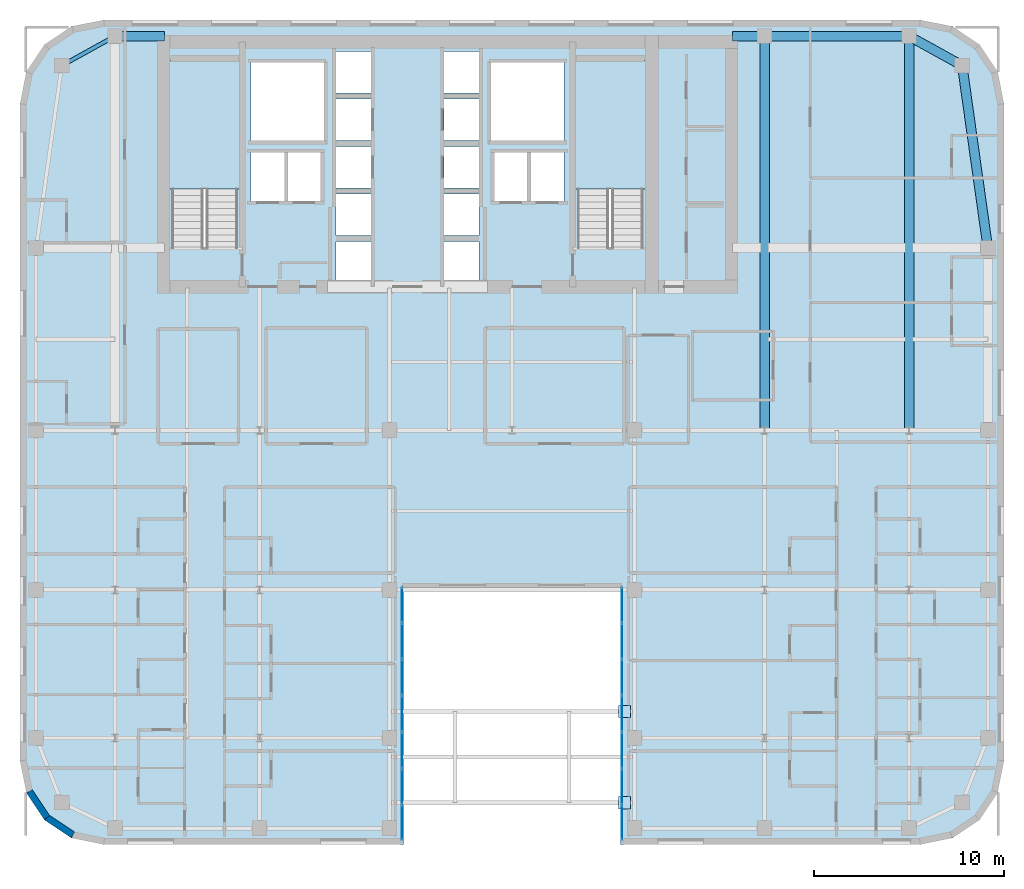
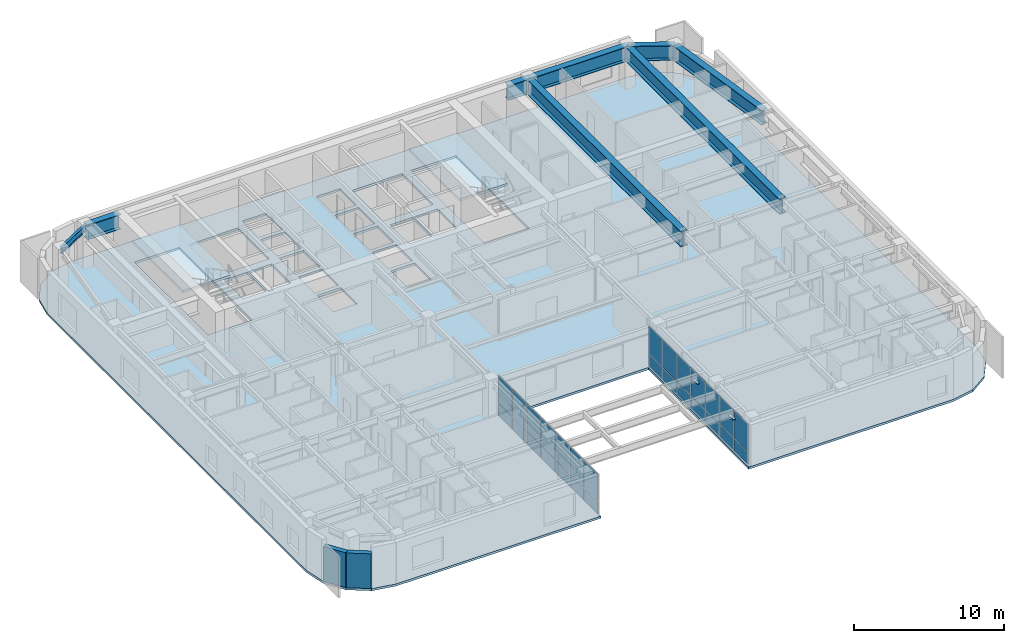
# One storey, part 6 of 15: 30 plates, 8 beams, 3 slabs, 2 walls, 4 elements without a shape of their own.
"""IFC4 building model written with IfcOpenShell, lengths in metres."""

from ifc_helpers import new_model, si_unit, direction, frame, frame_2d, origin, origin_2d, place, context, subcontext, project, spatial, polyline, rectangle, i_section, outline, extrude, source, transform, mapped, material, layer, layer_set, material_profile, profile_set, type_object, type_shapes, element, aggregate, save


model = new_model("IFC4")

# Units and contexts
model_context = context("Model", 3, precision=1e-05, world=origin(), true_north=direction((0.0, 1.0)))
body_context = subcontext(model_context, "Body", "Model", "MODEL_VIEW")
ifc_project = project(units=[si_unit("LENGTHUNIT", "METRE"), si_unit("AREAUNIT", "SQUARE_METRE"), si_unit("VOLUMEUNIT", "CUBIC_METRE"), si_unit("PLANEANGLEUNIT", "RADIAN"), si_unit("MASSUNIT", "GRAM", prefix="KILO")], contexts=[model_context])

# Site, building, storey
site_placement = place(None, origin())
site = spatial("IfcSite", under=ifc_project, at=site_placement, CompositionType="ELEMENT")
building_placement = place(site_placement, origin())
building = spatial("IfcBuilding", under=site, at=building_placement, Name="Tolvann Quenvar Hotel", CompositionType="ELEMENT")
storey_placement = place(building_placement, frame((0.0, 0.0, 164.800048828125)))
storey = spatial("IfcBuildingStorey", under=building, at=storey_placement, Name="L43", CompositionType="ELEMENT", Elevation=164.800048828125)

# Beams
ifc_material_1 = material(Name="Steel Grade 350", Category="steel")
ifc_material_profile_1 = material_profile(ifc_material_1, i_section(OverallWidth=0.5, OverallDepth=1.199951171875, WebThickness=0.01611328125, FlangeThickness=0.0400390625, at=origin_2d()), Name="1200WB455")
ifc_profile_set_1 = profile_set([ifc_material_profile_1], Name="Steel Grade 350")
beam_type_1 = type_object("IfcBeamType", Name="BM_TG_1200WB455", PredefinedType="USERDEFINED", material=ifc_profile_set_1)
shared_shape_1 = source(origin(), body_context, "Body", "SweptSolid", [
    extrude(i_section(OverallWidth=0.5, OverallDepth=1.199951171875, WebThickness=0.01611328125, FlangeThickness=0.0400390625, at=origin_2d()), origin(), (0.0, 0.0, 1.0), 7.599853515625),
])
beam_1_placement = place(storey_placement, frame((49.39990234375, 45.14990234375, 2.77001953125), z_axis=(-1.0, 0.0, 0.0), x_axis=(0.0, -1.0, 0.0)))
element("IfcBeam", 1, at=beam_1_placement, inside=storey, type_object=beam_type_1, Name="BM-L43-FLK-E4", ObjectType="TRANSFER GIRDER", PredefinedType="USERDEFINED", context=body_context, shape_type="MappedRepresentation", body=[
    mapped(shared_shape_1, transform((0.0, 0.0, 0.0), x_axis=(1.0, 0.0, 0.0), y_axis=(0.0, 1.0, 0.0), z_axis=(0.0, 0.0, 1.0), scale=1.0)),
])
shared_shape_2 = source(origin(), body_context, "Body", "SweptSolid", [
    extrude(i_section(OverallWidth=0.5, OverallDepth=1.199951171875, WebThickness=0.01611328125, FlangeThickness=0.0400390625, at=origin_2d()), origin(), (0.0, 0.0, 1.0), 20.75),
])
for number, where, z_axis, x_axis, name in (
    (2, (41.800048828125, 24.39990234375, 2.77001953125), (0.0, 1.0, 0.0), (-1.0, 0.0, 0.0), "BM-L43-FLK-EH"),
    (3, (49.39990234375, 24.39990234375, 2.77001953125), (0.0, 1.0, 0.0), (-1.0, 0.0, 0.0), "BM-L43-FLK-EI"),
):
    element("IfcBeam", number, at=place(storey_placement, frame(where, z_axis=z_axis, x_axis=x_axis)), inside=storey, type_object=beam_type_1, Name=name, ObjectType="TRANSFER GIRDER", PredefinedType="USERDEFINED", context=body_context, shape_type="MappedRepresentation", body=[
        mapped(shared_shape_2, transform((0.0, 0.0, 0.0), x_axis=(1.0, 0.0, 0.0), y_axis=(0.0, 1.0, 0.0), z_axis=(0.0, 0.0, 1.0), scale=1.0)),
    ])
shared_shape_3 = source(origin(), body_context, "Body", "SweptSolid", [
    extrude(i_section(OverallWidth=0.5, OverallDepth=1.199951171875, WebThickness=0.01611328125, FlangeThickness=0.0400390625, at=origin_2d()), origin(), (0.0, 0.0, 1.0), 2.599853515625),
])
beam_2_placement = place(storey_placement, frame((7.60009765625, 45.14990234375, 2.77001953125), z_axis=(1.0, 0.0, 0.0), x_axis=(0.0, 1.0, 0.0)))
element("IfcBeam", 4, at=beam_2_placement, inside=storey, type_object=beam_type_1, Name="BM-L43-CTW-CN", ObjectType="TRANSFER GIRDER", PredefinedType="USERDEFINED", context=body_context, shape_type="MappedRepresentation", body=[
    mapped(shared_shape_3, transform((0.0, 0.0, 0.0), x_axis=(1.0, 0.0, 0.0), y_axis=(0.0, 1.0, 0.0), z_axis=(0.0, 0.0, 1.0), scale=1.0)),
])
shared_shape_4 = source(origin(), body_context, "Body", "SweptSolid", [
    extrude(i_section(OverallWidth=0.5, OverallDepth=1.199951171875, WebThickness=0.01611328125, FlangeThickness=0.0400390625, at=origin_2d()), origin(), (0.0, 0.0, 1.0), 1.699951171875),
])
beam_3_placement = place(storey_placement, frame((40.10009765625, 45.14990234375, 2.77001953125), z_axis=(1.0, 0.0, 0.0), x_axis=(0.0, 1.0, 0.0)))
element("IfcBeam", 5, at=beam_3_placement, inside=storey, type_object=beam_type_1, Name="BM-L43-CTE-HN", ObjectType="TRANSFER GIRDER", PredefinedType="USERDEFINED", context=body_context, shape_type="MappedRepresentation", body=[
    mapped(shared_shape_4, transform((0.0, 0.0, 0.0), x_axis=(1.0, 0.0, 0.0), y_axis=(0.0, 1.0, 0.0), z_axis=(0.0, 0.0, 1.0), scale=1.0)),
])
ifc_material_profile_2 = material_profile(ifc_material_1, i_section(OverallWidth=0.208984375, OverallDepth=0.528076171875, WebThickness=0.009521484375, FlangeThickness=0.01318359375, FilletRadius=0.013916015625, at=origin_2d()), Name="530UB82")
ifc_profile_set_2 = profile_set([ifc_material_profile_2], Name="Steel Grade 350")
beam_type_2 = type_object("IfcBeamType", Name="BM_SPAND_530UB82", PredefinedType="SPANDREL", material=ifc_profile_set_2)
shared_shape_5 = source(origin(), body_context, "Body", "SweptSolid", [
    extrude(i_section(OverallWidth=0.208984375, OverallDepth=0.528076171875, WebThickness=0.009521484375, FlangeThickness=0.01318359375, FilletRadius=0.013916015625, at=origin_2d()), origin(), (0.0, 0.0, 1.0), 3.200439453125),
])
type_shapes(beam_type_2, [shared_shape_5])
beam_4_placement = place(storey_placement, frame((4.800048828125, 43.60009765625, 3.10595703125), z_axis=(0.87492264453, 0.48426270359, 0.0), x_axis=(-0.48426270359, 0.87492264453, 0.0)))
element("IfcBeam", 6, at=beam_4_placement, inside=storey, type_object=beam_type_2, Name="BM-L43-FLK-W3", PredefinedType="SPANDREL", context=body_context, shape_type="MappedRepresentation", body=[
    mapped(shared_shape_5, transform((0.0, 0.0, 0.0), x_axis=(1.0, 0.0, 0.0), y_axis=(0.0, 1.0, 0.0), z_axis=(0.0, 0.0, 1.0), scale=1.0)),
])
shared_shape_6 = source(origin(), body_context, "Body", "SweptSolid", [
    extrude(i_section(OverallWidth=0.5, OverallDepth=1.199951171875, WebThickness=0.01611328125, FlangeThickness=0.0400390625, at=origin_2d()), origin(), (0.0, 0.0, 1.0), 9.694580078125),
])
beam_5_placement = place(storey_placement, frame((53.550048828125, 34.0, 2.77001953125), z_axis=(-0.139263320262, 0.990255385055, 0.0), x_axis=(-0.990255385055, -0.139263320262, 0.0)))
element("IfcBeam", 7, at=beam_5_placement, inside=storey, type_object=beam_type_1, Name="BM-L43-FLK-E2", ObjectType="TRANSFER GIRDER", PredefinedType="USERDEFINED", context=body_context, shape_type="MappedRepresentation", body=[
    mapped(shared_shape_6, transform((0.0, 0.0, 0.0), x_axis=(1.0, 0.0, 0.0), y_axis=(0.0, 1.0, 0.0), z_axis=(0.0, 0.0, 1.0), scale=1.0)),
])
shared_shape_7 = source(origin(), body_context, "Body", "SweptSolid", [
    extrude(i_section(OverallWidth=0.5, OverallDepth=1.199951171875, WebThickness=0.01611328125, FlangeThickness=0.0400390625, at=origin_2d()), origin(), (0.0, 0.0, 1.0), 3.200439453125),
])
type_shapes(beam_type_1, [shared_shape_1, shared_shape_2, shared_shape_3, shared_shape_4, shared_shape_6, shared_shape_7])
beam_6_placement = place(storey_placement, frame((52.199951171875, 43.60009765625, 2.77001953125), z_axis=(-0.87492264453, 0.48426270359, 0.0), x_axis=(-0.48426270359, -0.87492264453, 0.0)))
element("IfcBeam", 8, at=beam_6_placement, inside=storey, type_object=beam_type_1, Name="BM-L43-FLK-E3", ObjectType="TRANSFER GIRDER", PredefinedType="USERDEFINED", context=body_context, shape_type="MappedRepresentation", body=[
    mapped(shared_shape_7, transform((0.0, 0.0, 0.0), x_axis=(1.0, 0.0, 0.0), y_axis=(0.0, 1.0, 0.0), z_axis=(0.0, 0.0, 1.0), scale=1.0)),
])

# Stair, slab
ifc_material_2 = material(Name="Concrete N40 (40 MPa)", Category="concrete")
stair_type = type_object("IfcStairType", Name="STAIR", PredefinedType="HALF_TURN_STAIR", material=ifc_material_2)
stair_1_placement = place(storey_placement, origin())
stair_1 = element("IfcStair", 9, at=stair_1_placement, inside=storey, type_object=stair_type, Name="L43 ST-C1", PredefinedType="HALF_TURN_STAIR")
ifc_layer_1 = layer(ifc_material_2, 0.199951171875)
ifc_layer_set_1 = layer_set([ifc_layer_1], Name="Concrete N40 (40 MPa)")
slab_type_1 = type_object("IfcSlabType", Name="SLAB_LANDING", PredefinedType="LANDING", material=ifc_layer_set_1)
slab_1_placement = place(storey_placement, frame((0.0, 0.0, 1.574951171875)))
slab_1 = element("IfcSlab", 10, at=slab_1_placement, type_object=slab_type_1, Name="ST-C1 landing 1", PredefinedType="LANDING", context=body_context, shape_type="SweptSolid", body=[
    extrude(outline(polyline([(14.179931640625, 37.10498046875), (14.179931640625, 43.8798828125), (10.469970703125, 43.8798828125), (10.469970703125, 37.10498046875), (14.179931640625, 37.10498046875)])), origin(), (0.0, 0.0, 1.0), 0.199951171875),
])
aggregate(stair_1, [slab_1])

stair_2_placement = place(storey_placement, origin())
stair_2 = element("IfcStair", 11, at=stair_2_placement, inside=storey, type_object=stair_type, Name="L43 ST-C2", PredefinedType="HALF_TURN_STAIR")
slab_2_placement = place(storey_placement, frame((0.0, 0.0, 1.574951171875)))
slab_2 = element("IfcSlab", 12, at=slab_2_placement, type_object=slab_type_1, Name="ST-C2 landing 1", PredefinedType="LANDING", context=body_context, shape_type="SweptSolid", body=[
    extrude(outline(polyline([(35.530029296875, 37.10498046875), (35.530029296875, 43.8798828125), (31.820068359375, 43.8798828125), (31.820068359375, 37.10498046875), (35.530029296875, 37.10498046875)])), origin(), (0.0, 0.0, 1.0), 0.199951171875),
])
aggregate(stair_2, [slab_2])

# Slab
ifc_layer_2 = layer(ifc_material_2, 0.179931640625)
ifc_layer_set_2 = layer_set([ifc_layer_2], Name="Concrete N40 (40 MPa)")
slab_type_2 = type_object("IfcSlabType", Name="SLAB_TWR_180", PredefinedType="FLOOR", material=ifc_layer_set_2)
slab_3_placement = place(storey_placement, frame((0.0, 0.0, -0.179931640625)))
element("IfcSlab", 13, at=slab_3_placement, inside=storey, type_object=slab_type_2, Name="Level L43 Structural Floor Slab", PredefinedType="FLOOR", context=body_context, shape_type="SweptSolid", body=[
    extrude(outline(polyline([(2.60009765625, 7.0), (2.934814453125, 5.316162109375), (3.888671875, 3.888671875), (5.316162109375, 2.934814453125), (7.0, 2.60009765625), (22.800048828125, 2.60009765625), (22.800048828125, 16.0), (34.199951171875, 16.0), (34.199951171875, 2.60009765625), (50.0, 2.60009765625), (51.683837890625, 2.934814453125), (53.111328125, 3.888671875), (54.065185546875, 5.316162109375), (54.39990234375, 7.0), (54.39990234375, 41.60009765625), (54.065185546875, 43.28369140625), (53.111328125, 44.711181640625), (51.683837890625, 45.6650390625), (50.0, 46.0), (7.0, 46.0), (5.316162109375, 45.6650390625), (3.888671875, 44.711181640625), (2.934814453125, 43.28369140625), (2.60009765625, 41.60009765625), (2.60009765625, 7.0)]), holes=[polyline([(31.949951171875, 34.02490234375), (31.949951171875, 43.800048828125), (35.39990234375, 43.800048828125), (35.39990234375, 34.02490234375), (31.949951171875, 34.02490234375)]), polyline([(29.449951171875, 39.02001953125), (31.25, 39.02001953125), (31.25, 36.47998046875), (29.449951171875, 36.47998046875), (29.449951171875, 39.02001953125)]), polyline([(31.25, 43.75), (31.25, 39.64990234375), (27.39990234375, 39.64990234375), (27.39990234375, 43.75), (31.25, 43.75)]), polyline([(27.574951171875, 39.02001953125), (29.324951171875, 39.02001953125), (29.324951171875, 36.47998046875), (27.574951171875, 36.47998046875), (27.574951171875, 39.02001953125)]), polyline([(26.77001953125, 44.340087890625), (26.77001953125, 42.159912109375), (24.929931640625, 42.159912109375), (24.929931640625, 44.340087890625), (26.77001953125, 44.340087890625)]), polyline([(24.929931640625, 41.840087890625), (26.77001953125, 41.840087890625), (26.77001953125, 39.659912109375), (24.929931640625, 39.659912109375), (24.929931640625, 41.840087890625)]), polyline([(24.929931640625, 39.340087890625), (26.77001953125, 39.340087890625), (26.77001953125, 37.159912109375), (24.929931640625, 37.159912109375), (24.929931640625, 39.340087890625)]), polyline([(24.929931640625, 36.840087890625), (26.77001953125, 36.840087890625), (26.77001953125, 34.659912109375), (24.929931640625, 34.659912109375), (24.929931640625, 36.840087890625)]), polyline([(24.929931640625, 34.340087890625), (26.77001953125, 34.340087890625), (26.77001953125, 32.159912109375), (24.929931640625, 32.159912109375), (24.929931640625, 34.340087890625)]), polyline([(21.070068359375, 44.340087890625), (21.070068359375, 42.159912109375), (19.22998046875, 42.159912109375), (19.22998046875, 44.340087890625), (21.070068359375, 44.340087890625)]), polyline([(19.22998046875, 41.840087890625), (21.070068359375, 41.840087890625), (21.070068359375, 39.659912109375), (19.22998046875, 39.659912109375), (19.22998046875, 41.840087890625)]), polyline([(19.22998046875, 39.340087890625), (21.070068359375, 39.340087890625), (21.070068359375, 37.159912109375), (19.22998046875, 37.159912109375), (19.22998046875, 39.340087890625)]), polyline([(19.22998046875, 36.840087890625), (21.070068359375, 36.840087890625), (21.070068359375, 34.659912109375), (19.22998046875, 34.659912109375), (19.22998046875, 36.840087890625)]), polyline([(19.22998046875, 34.340087890625), (21.070068359375, 34.340087890625), (21.070068359375, 32.159912109375), (19.22998046875, 32.159912109375), (19.22998046875, 34.340087890625)]), polyline([(18.60009765625, 43.75), (18.60009765625, 39.64990234375), (14.75, 39.64990234375), (14.75, 43.75), (18.60009765625, 43.75)]), polyline([(16.675048828125, 39.02001953125), (18.425048828125, 39.02001953125), (18.425048828125, 36.47998046875), (16.675048828125, 36.47998046875), (16.675048828125, 39.02001953125)]), polyline([(14.75, 39.02001953125), (16.550048828125, 39.02001953125), (16.550048828125, 36.47998046875), (14.75, 36.47998046875), (14.75, 39.02001953125)]), polyline([(10.60009765625, 34.02490234375), (10.60009765625, 43.800048828125), (14.050048828125, 43.800048828125), (14.050048828125, 34.02490234375), (10.60009765625, 34.02490234375)])]), origin(), (0.0, 0.0, 1.0), 0.179931640625),
])

# Plates
ifc_layer_3 = layer(ifc_material_1, 0.050048828125)
ifc_layer_set_3 = layer_set([ifc_layer_3], Name="Steel Grade 350")
plate_type_1 = type_object("IfcPlateType", Name="PLT_BASE_50", PredefinedType="SHEET", material=ifc_layer_set_3)
shared_shape_8 = source(origin(), body_context, "Body", "SweptSolid", [
    extrude(rectangle(XDim=0.64990234375, YDim=0.64990234375, at=origin_2d()), origin(), (0.0, 0.0, 1.0), 0.050048828125),
])
type_shapes(plate_type_1, [shared_shape_8])
for number, where, z_axis, x_axis, name in (
    (14, (34.425048828125, 4.800048828125, 2.7080078125), (0.0, 0.0, 1.0), (1.0, 0.0, 0.0), "Skybridge PTFE Sliding Bearing Seat Plate 650mm (L44-S)"),
    (15, (34.425048828125, 9.60009765625, 2.7080078125), (0.0, 0.0, 1.0), (1.0, 0.0, 0.0), "Skybridge PTFE Sliding Bearing Seat Plate 650mm (L44-N)"),
):
    element("IfcPlate", number, at=place(storey_placement, frame(where, z_axis=z_axis, x_axis=x_axis)), inside=storey, type_object=plate_type_1, Name=name, PredefinedType="SHEET", context=body_context, shape_type="MappedRepresentation", body=[
        mapped(shared_shape_8, transform((0.0, 0.0, 0.0), x_axis=(1.0, 0.0, 0.0), y_axis=(0.0, 1.0, 0.0), z_axis=(0.0, 0.0, 1.0), scale=1.0)),
    ])

# Curtain wall, plates
ifc_material_3 = material(Name="Thermally broken anodised architectural aluminium 6063-T6 and laminated low-E glass", Category="aluminium")
ifc_layer_4 = layer(ifc_material_3, 0.179931640625)
ifc_layer_set_4 = layer_set([ifc_layer_4], Name="Thermally broken anodised architectural aluminium 6063-T6 and laminated low-E glass")
curtain_wall_type = type_object("IfcCurtainWallType", Name="CW_SYS_SLOT_03", PredefinedType="USERDEFINED", material=ifc_layer_set_4)
curtain_wall_1_placement = place(storey_placement, origin())
curtain_wall_1 = element("IfcCurtainWall", 16, at=curtain_wall_1_placement, inside=storey, type_object=curtain_wall_type, Name="Curtain Wall CW-SLOT-03 (CWR-L43-E05)", ObjectType="UNITISED CURTAIN WALL", PredefinedType="USERDEFINED")
ifc_material_4 = material(Name="Low-iron laminated double glazing with solar-control coating", Category="glass")
ifc_layer_5 = layer(ifc_material_4, 0.028076171875)
ifc_layer_set_5 = layer_set([ifc_layer_5], Name="Low-iron laminated double glazing with solar-control coating")
plate_type_2 = type_object("IfcPlateType", Name="CW_PAN_VISION_28", PredefinedType="CURTAIN_PANEL", material=ifc_layer_set_5)
shared_shape_9 = source(origin(), body_context, "Body", "SweptSolid", [
    extrude(rectangle(XDim=1.809326171875, YDim=0.028076171875, at=origin_2d()), origin(), (0.0, 0.0, 1.0), 0.9599609375),
])
plate_1_placement = place(storey_placement, frame((22.7099609375, 3.749755859375, 0.06005859375), z_axis=(0.0, 0.0, 1.0), x_axis=(0.0, 1.0, 0.0)))
plate_1 = element("IfcPlate", 17, at=plate_1_placement, type_object=plate_type_2, Name="CW-SLOT-03 panel 1.1", PredefinedType="CURTAIN_PANEL", context=body_context, shape_type="MappedRepresentation", body=[
    mapped(shared_shape_9, transform((0.0, 0.0, 0.0), x_axis=(1.0, 0.0, 0.0), y_axis=(0.0, 1.0, 0.0), z_axis=(0.0, 0.0, 1.0), scale=1.0)),
])
plate_2_placement = place(storey_placement, frame((22.7099609375, 15.200439453125, 0.06005859375), z_axis=(0.0, 0.0, 1.0), x_axis=(0.0, 1.0, 0.0)))
plate_2 = element("IfcPlate", 18, at=plate_2_placement, type_object=plate_type_2, Name="CW-SLOT-03 panel 7.1", PredefinedType="CURTAIN_PANEL", context=body_context, shape_type="MappedRepresentation", body=[
    mapped(shared_shape_9, transform((0.0, 0.0, 0.0), x_axis=(1.0, 0.0, 0.0), y_axis=(0.0, 1.0, 0.0), z_axis=(0.0, 0.0, 1.0), scale=1.0)),
])

curtain_wall_2_placement = place(storey_placement, origin())
curtain_wall_2 = element("IfcCurtainWall", 19, at=curtain_wall_2_placement, inside=storey, type_object=curtain_wall_type, Name="Curtain Wall CW-SLOT-03 (CWR-L43-E07)", ObjectType="UNITISED CURTAIN WALL", PredefinedType="USERDEFINED")
plate_3_placement = place(storey_placement, frame((34.2900390625, 15.200439453125, 0.06005859375), z_axis=(0.0, 0.0, 1.0), x_axis=(0.0, -1.0, 0.0)))
plate_3 = element("IfcPlate", 20, at=plate_3_placement, type_object=plate_type_2, Name="CW-SLOT-03 panel 1.1", PredefinedType="CURTAIN_PANEL", context=body_context, shape_type="MappedRepresentation", body=[
    mapped(shared_shape_9, transform((0.0, 0.0, 0.0), x_axis=(1.0, 0.0, 0.0), y_axis=(0.0, 1.0, 0.0), z_axis=(0.0, 0.0, 1.0), scale=1.0)),
])
plate_4_placement = place(storey_placement, frame((34.2900390625, 3.749755859375, 0.06005859375), z_axis=(0.0, 0.0, 1.0), x_axis=(0.0, -1.0, 0.0)))
plate_4 = element("IfcPlate", 21, at=plate_4_placement, type_object=plate_type_2, Name="CW-SLOT-03 panel 7.1", PredefinedType="CURTAIN_PANEL", context=body_context, shape_type="MappedRepresentation", body=[
    mapped(shared_shape_9, transform((0.0, 0.0, 0.0), x_axis=(1.0, 0.0, 0.0), y_axis=(0.0, 1.0, 0.0), z_axis=(0.0, 0.0, 1.0), scale=1.0)),
])

# Plate
shared_shape_10 = source(origin(), body_context, "Body", "SweptSolid", [
    extrude(rectangle(XDim=1.809326171875, YDim=0.028076171875, at=origin_2d()), origin(), (0.0, 0.0, 1.0), 2.22998046875),
])
plate_5_placement = place(storey_placement, frame((22.7099609375, 3.749755859375, 1.080078125), z_axis=(0.0, 0.0, 1.0), x_axis=(0.0, 1.0, 0.0)))
plate_5 = element("IfcPlate", 22, at=plate_5_placement, type_object=plate_type_2, Name="CW-SLOT-03 panel 1.2", PredefinedType="CURTAIN_PANEL", context=body_context, shape_type="MappedRepresentation", body=[
    mapped(shared_shape_10, transform((0.0, 0.0, 0.0), x_axis=(1.0, 0.0, 0.0), y_axis=(0.0, 1.0, 0.0), z_axis=(0.0, 0.0, 1.0), scale=1.0)),
])

plate_6_placement = place(storey_placement, frame((22.7099609375, 15.200439453125, 1.080078125), z_axis=(0.0, 0.0, 1.0), x_axis=(0.0, 1.0, 0.0)))
plate_6 = element("IfcPlate", 23, at=plate_6_placement, type_object=plate_type_2, Name="CW-SLOT-03 panel 7.2", PredefinedType="CURTAIN_PANEL", context=body_context, shape_type="MappedRepresentation", body=[
    mapped(shared_shape_10, transform((0.0, 0.0, 0.0), x_axis=(1.0, 0.0, 0.0), y_axis=(0.0, 1.0, 0.0), z_axis=(0.0, 0.0, 1.0), scale=1.0)),
])

plate_7_placement = place(storey_placement, frame((34.2900390625, 15.200439453125, 1.080078125), z_axis=(0.0, 0.0, 1.0), x_axis=(0.0, -1.0, 0.0)))
plate_7 = element("IfcPlate", 24, at=plate_7_placement, type_object=plate_type_2, Name="CW-SLOT-03 panel 1.2", PredefinedType="CURTAIN_PANEL", context=body_context, shape_type="MappedRepresentation", body=[
    mapped(shared_shape_10, transform((0.0, 0.0, 0.0), x_axis=(1.0, 0.0, 0.0), y_axis=(0.0, 1.0, 0.0), z_axis=(0.0, 0.0, 1.0), scale=1.0)),
])

plate_8_placement = place(storey_placement, frame((34.2900390625, 3.749755859375, 1.080078125), z_axis=(0.0, 0.0, 1.0), x_axis=(0.0, -1.0, 0.0)))
plate_8 = element("IfcPlate", 25, at=plate_8_placement, type_object=plate_type_2, Name="CW-SLOT-03 panel 7.2", PredefinedType="CURTAIN_PANEL", context=body_context, shape_type="MappedRepresentation", body=[
    mapped(shared_shape_10, transform((0.0, 0.0, 0.0), x_axis=(1.0, 0.0, 0.0), y_axis=(0.0, 1.0, 0.0), z_axis=(0.0, 0.0, 1.0), scale=1.0)),
])

shared_shape_11 = source(origin(), body_context, "Body", "SweptSolid", [
    extrude(rectangle(XDim=1.84423828125, YDim=0.028076171875, at=origin_2d()), origin(), (0.0, 0.0, 1.0), 0.9599609375),
])
plate_9_placement = place(storey_placement, frame((22.7099609375, 5.646484375, 0.06005859375), z_axis=(0.0, 0.0, 1.0), x_axis=(0.0, 1.0, 0.0)))
plate_9 = element("IfcPlate", 26, at=plate_9_placement, type_object=plate_type_2, Name="CW-SLOT-03 panel 2.1", PredefinedType="CURTAIN_PANEL", context=body_context, shape_type="MappedRepresentation", body=[
    mapped(shared_shape_11, transform((0.0, 0.0, 0.0), x_axis=(1.0, 0.0, 0.0), y_axis=(0.0, 1.0, 0.0), z_axis=(0.0, 0.0, 1.0), scale=1.0)),
])

plate_10_placement = place(storey_placement, frame((22.7099609375, 7.560791015625, 0.06005859375), z_axis=(0.0, 0.0, 1.0), x_axis=(0.0, 1.0, 0.0)))
plate_10 = element("IfcPlate", 27, at=plate_10_placement, type_object=plate_type_2, Name="CW-SLOT-03 panel 3.1", PredefinedType="CURTAIN_PANEL", context=body_context, shape_type="MappedRepresentation", body=[
    mapped(shared_shape_11, transform((0.0, 0.0, 0.0), x_axis=(1.0, 0.0, 0.0), y_axis=(0.0, 1.0, 0.0), z_axis=(0.0, 0.0, 1.0), scale=1.0)),
])

plate_11_placement = place(storey_placement, frame((22.7099609375, 9.47509765625, 0.06005859375), z_axis=(0.0, 0.0, 1.0), x_axis=(0.0, 1.0, 0.0)))
plate_11 = element("IfcPlate", 28, at=plate_11_placement, type_object=plate_type_2, Name="CW-SLOT-03 panel 4.1", PredefinedType="CURTAIN_PANEL", context=body_context, shape_type="MappedRepresentation", body=[
    mapped(shared_shape_11, transform((0.0, 0.0, 0.0), x_axis=(1.0, 0.0, 0.0), y_axis=(0.0, 1.0, 0.0), z_axis=(0.0, 0.0, 1.0), scale=1.0)),
])

plate_12_placement = place(storey_placement, frame((22.7099609375, 11.389404296875, 0.06005859375), z_axis=(0.0, 0.0, 1.0), x_axis=(0.0, 1.0, 0.0)))
plate_12 = element("IfcPlate", 29, at=plate_12_placement, type_object=plate_type_2, Name="CW-SLOT-03 panel 5.1", PredefinedType="CURTAIN_PANEL", context=body_context, shape_type="MappedRepresentation", body=[
    mapped(shared_shape_11, transform((0.0, 0.0, 0.0), x_axis=(1.0, 0.0, 0.0), y_axis=(0.0, 1.0, 0.0), z_axis=(0.0, 0.0, 1.0), scale=1.0)),
])

plate_13_placement = place(storey_placement, frame((22.7099609375, 13.303466796875, 0.06005859375), z_axis=(0.0, 0.0, 1.0), x_axis=(0.0, 1.0, 0.0)))
plate_13 = element("IfcPlate", 30, at=plate_13_placement, type_object=plate_type_2, Name="CW-SLOT-03 panel 6.1", PredefinedType="CURTAIN_PANEL", context=body_context, shape_type="MappedRepresentation", body=[
    mapped(shared_shape_11, transform((0.0, 0.0, 0.0), x_axis=(1.0, 0.0, 0.0), y_axis=(0.0, 1.0, 0.0), z_axis=(0.0, 0.0, 1.0), scale=1.0)),
])

plate_14_placement = place(storey_placement, frame((34.2900390625, 13.303466796875, 0.06005859375), z_axis=(0.0, 0.0, 1.0), x_axis=(0.0, -1.0, 0.0)))
plate_14 = element("IfcPlate", 31, at=plate_14_placement, type_object=plate_type_2, Name="CW-SLOT-03 panel 2.1", PredefinedType="CURTAIN_PANEL", context=body_context, shape_type="MappedRepresentation", body=[
    mapped(shared_shape_11, transform((0.0, 0.0, 0.0), x_axis=(1.0, 0.0, 0.0), y_axis=(0.0, 1.0, 0.0), z_axis=(0.0, 0.0, 1.0), scale=1.0)),
])

plate_15_placement = place(storey_placement, frame((34.2900390625, 11.389404296875, 0.06005859375), z_axis=(0.0, 0.0, 1.0), x_axis=(0.0, -1.0, 0.0)))
plate_15 = element("IfcPlate", 32, at=plate_15_placement, type_object=plate_type_2, Name="CW-SLOT-03 panel 3.1", PredefinedType="CURTAIN_PANEL", context=body_context, shape_type="MappedRepresentation", body=[
    mapped(shared_shape_11, transform((0.0, 0.0, 0.0), x_axis=(1.0, 0.0, 0.0), y_axis=(0.0, 1.0, 0.0), z_axis=(0.0, 0.0, 1.0), scale=1.0)),
])

plate_16_placement = place(storey_placement, frame((34.2900390625, 9.47509765625, 0.06005859375), z_axis=(0.0, 0.0, 1.0), x_axis=(0.0, -1.0, 0.0)))
plate_16 = element("IfcPlate", 33, at=plate_16_placement, type_object=plate_type_2, Name="CW-SLOT-03 panel 4.1", PredefinedType="CURTAIN_PANEL", context=body_context, shape_type="MappedRepresentation", body=[
    mapped(shared_shape_11, transform((0.0, 0.0, 0.0), x_axis=(1.0, 0.0, 0.0), y_axis=(0.0, 1.0, 0.0), z_axis=(0.0, 0.0, 1.0), scale=1.0)),
])

plate_17_placement = place(storey_placement, frame((34.2900390625, 7.560791015625, 0.06005859375), z_axis=(0.0, 0.0, 1.0), x_axis=(0.0, -1.0, 0.0)))
plate_17 = element("IfcPlate", 34, at=plate_17_placement, type_object=plate_type_2, Name="CW-SLOT-03 panel 5.1", PredefinedType="CURTAIN_PANEL", context=body_context, shape_type="MappedRepresentation", body=[
    mapped(shared_shape_11, transform((0.0, 0.0, 0.0), x_axis=(1.0, 0.0, 0.0), y_axis=(0.0, 1.0, 0.0), z_axis=(0.0, 0.0, 1.0), scale=1.0)),
])

plate_18_placement = place(storey_placement, frame((34.2900390625, 5.646484375, 0.06005859375), z_axis=(0.0, 0.0, 1.0), x_axis=(0.0, -1.0, 0.0)))
plate_18 = element("IfcPlate", 35, at=plate_18_placement, type_object=plate_type_2, Name="CW-SLOT-03 panel 6.1", PredefinedType="CURTAIN_PANEL", context=body_context, shape_type="MappedRepresentation", body=[
    mapped(shared_shape_11, transform((0.0, 0.0, 0.0), x_axis=(1.0, 0.0, 0.0), y_axis=(0.0, 1.0, 0.0), z_axis=(0.0, 0.0, 1.0), scale=1.0)),
])

shared_shape_12 = source(origin(), body_context, "Body", "SweptSolid", [
    extrude(rectangle(XDim=1.84423828125, YDim=0.028076171875, at=origin_2d()), origin(), (0.0, 0.0, 1.0), 2.22998046875),
])
type_shapes(plate_type_2, [shared_shape_9, shared_shape_10, shared_shape_11, shared_shape_12])
plate_19_placement = place(storey_placement, frame((22.7099609375, 5.646484375, 1.080078125), z_axis=(0.0, 0.0, 1.0), x_axis=(0.0, 1.0, 0.0)))
plate_19 = element("IfcPlate", 36, at=plate_19_placement, type_object=plate_type_2, Name="CW-SLOT-03 panel 2.2", PredefinedType="CURTAIN_PANEL", context=body_context, shape_type="MappedRepresentation", body=[
    mapped(shared_shape_12, transform((0.0, 0.0, 0.0), x_axis=(1.0, 0.0, 0.0), y_axis=(0.0, 1.0, 0.0), z_axis=(0.0, 0.0, 1.0), scale=1.0)),
])

plate_20_placement = place(storey_placement, frame((22.7099609375, 7.560791015625, 1.080078125), z_axis=(0.0, 0.0, 1.0), x_axis=(0.0, 1.0, 0.0)))
plate_20 = element("IfcPlate", 37, at=plate_20_placement, type_object=plate_type_2, Name="CW-SLOT-03 panel 3.2", PredefinedType="CURTAIN_PANEL", context=body_context, shape_type="MappedRepresentation", body=[
    mapped(shared_shape_12, transform((0.0, 0.0, 0.0), x_axis=(1.0, 0.0, 0.0), y_axis=(0.0, 1.0, 0.0), z_axis=(0.0, 0.0, 1.0), scale=1.0)),
])

plate_21_placement = place(storey_placement, frame((22.7099609375, 9.47509765625, 1.080078125), z_axis=(0.0, 0.0, 1.0), x_axis=(0.0, 1.0, 0.0)))
plate_21 = element("IfcPlate", 38, at=plate_21_placement, type_object=plate_type_2, Name="CW-SLOT-03 panel 4.2", PredefinedType="CURTAIN_PANEL", context=body_context, shape_type="MappedRepresentation", body=[
    mapped(shared_shape_12, transform((0.0, 0.0, 0.0), x_axis=(1.0, 0.0, 0.0), y_axis=(0.0, 1.0, 0.0), z_axis=(0.0, 0.0, 1.0), scale=1.0)),
])

plate_22_placement = place(storey_placement, frame((22.7099609375, 11.389404296875, 1.080078125), z_axis=(0.0, 0.0, 1.0), x_axis=(0.0, 1.0, 0.0)))
plate_22 = element("IfcPlate", 39, at=plate_22_placement, type_object=plate_type_2, Name="CW-SLOT-03 panel 5.2", PredefinedType="CURTAIN_PANEL", context=body_context, shape_type="MappedRepresentation", body=[
    mapped(shared_shape_12, transform((0.0, 0.0, 0.0), x_axis=(1.0, 0.0, 0.0), y_axis=(0.0, 1.0, 0.0), z_axis=(0.0, 0.0, 1.0), scale=1.0)),
])

plate_23_placement = place(storey_placement, frame((22.7099609375, 13.303466796875, 1.080078125), z_axis=(0.0, 0.0, 1.0), x_axis=(0.0, 1.0, 0.0)))
plate_23 = element("IfcPlate", 40, at=plate_23_placement, type_object=plate_type_2, Name="CW-SLOT-03 panel 6.2", PredefinedType="CURTAIN_PANEL", context=body_context, shape_type="MappedRepresentation", body=[
    mapped(shared_shape_12, transform((0.0, 0.0, 0.0), x_axis=(1.0, 0.0, 0.0), y_axis=(0.0, 1.0, 0.0), z_axis=(0.0, 0.0, 1.0), scale=1.0)),
])

aggregate(curtain_wall_1, [plate_1, plate_5, plate_9, plate_19, plate_10, plate_20, plate_11, plate_21, plate_12, plate_22, plate_13, plate_23, plate_2, plate_6])

plate_24_placement = place(storey_placement, frame((34.2900390625, 13.303466796875, 1.080078125), z_axis=(0.0, 0.0, 1.0), x_axis=(0.0, -1.0, 0.0)))
plate_24 = element("IfcPlate", 41, at=plate_24_placement, type_object=plate_type_2, Name="CW-SLOT-03 panel 2.2", PredefinedType="CURTAIN_PANEL", context=body_context, shape_type="MappedRepresentation", body=[
    mapped(shared_shape_12, transform((0.0, 0.0, 0.0), x_axis=(1.0, 0.0, 0.0), y_axis=(0.0, 1.0, 0.0), z_axis=(0.0, 0.0, 1.0), scale=1.0)),
])

plate_25_placement = place(storey_placement, frame((34.2900390625, 11.389404296875, 1.080078125), z_axis=(0.0, 0.0, 1.0), x_axis=(0.0, -1.0, 0.0)))
plate_25 = element("IfcPlate", 42, at=plate_25_placement, type_object=plate_type_2, Name="CW-SLOT-03 panel 3.2", PredefinedType="CURTAIN_PANEL", context=body_context, shape_type="MappedRepresentation", body=[
    mapped(shared_shape_12, transform((0.0, 0.0, 0.0), x_axis=(1.0, 0.0, 0.0), y_axis=(0.0, 1.0, 0.0), z_axis=(0.0, 0.0, 1.0), scale=1.0)),
])

plate_26_placement = place(storey_placement, frame((34.2900390625, 9.47509765625, 1.080078125), z_axis=(0.0, 0.0, 1.0), x_axis=(0.0, -1.0, 0.0)))
plate_26 = element("IfcPlate", 43, at=plate_26_placement, type_object=plate_type_2, Name="CW-SLOT-03 panel 4.2", PredefinedType="CURTAIN_PANEL", context=body_context, shape_type="MappedRepresentation", body=[
    mapped(shared_shape_12, transform((0.0, 0.0, 0.0), x_axis=(1.0, 0.0, 0.0), y_axis=(0.0, 1.0, 0.0), z_axis=(0.0, 0.0, 1.0), scale=1.0)),
])

plate_27_placement = place(storey_placement, frame((34.2900390625, 7.560791015625, 1.080078125), z_axis=(0.0, 0.0, 1.0), x_axis=(0.0, -1.0, 0.0)))
plate_27 = element("IfcPlate", 44, at=plate_27_placement, type_object=plate_type_2, Name="CW-SLOT-03 panel 5.2", PredefinedType="CURTAIN_PANEL", context=body_context, shape_type="MappedRepresentation", body=[
    mapped(shared_shape_12, transform((0.0, 0.0, 0.0), x_axis=(1.0, 0.0, 0.0), y_axis=(0.0, 1.0, 0.0), z_axis=(0.0, 0.0, 1.0), scale=1.0)),
])

plate_28_placement = place(storey_placement, frame((34.2900390625, 5.646484375, 1.080078125), z_axis=(0.0, 0.0, 1.0), x_axis=(0.0, -1.0, 0.0)))
plate_28 = element("IfcPlate", 45, at=plate_28_placement, type_object=plate_type_2, Name="CW-SLOT-03 panel 6.2", PredefinedType="CURTAIN_PANEL", context=body_context, shape_type="MappedRepresentation", body=[
    mapped(shared_shape_12, transform((0.0, 0.0, 0.0), x_axis=(1.0, 0.0, 0.0), y_axis=(0.0, 1.0, 0.0), z_axis=(0.0, 0.0, 1.0), scale=1.0)),
])

aggregate(curtain_wall_2, [plate_3, plate_7, plate_14, plate_24, plate_15, plate_25, plate_16, plate_26, plate_17, plate_27, plate_18, plate_28, plate_4, plate_8])

# Walls
ifc_material_5 = material(Name="Kiln-fired red and buff architectural clay brickwork and terracotta masonry", Category="masonry")
ifc_layer_6 = layer(ifc_material_5, 0.35009765625)
ifc_layer_set_6 = layer_set([ifc_layer_6], Name="Kiln-fired red and buff architectural clay brickwork and terracotta masonry")
wall_type = type_object("IfcWallType", Name="WALL_EXT_BRICK_350", PredefinedType="SOLIDWALL", material=ifc_layer_set_6)
for number, where, z_axis, x_axis, name in (
    (46, (3.099609375, 5.384521484375, 0.0), (0.0, 0.0, 1.0), (0.555623290322, -0.831434158098, 0.0), "Exterior Chicago Brick Wall L43-E01"),
    (47, (4.014892578125, 4.014892578125, 0.0), (0.0, 0.0, 1.0), (0.831434158098, -0.555623290322, 0.0), "Exterior Chicago Brick Wall L43-E02"),
):
    element("IfcWall", number, at=place(storey_placement, frame(where, z_axis=z_axis, x_axis=x_axis)), inside=storey, type_object=wall_type, Name=name, PredefinedType="SOLIDWALL", context=body_context, shape_type="SweptSolid", body=[
        extrude(rectangle(XDim=1.647216796875, YDim=0.35009765625, at=frame_2d((0.82373046875, 0.0))), origin(), (0.0, 0.0, 1.0), 2.83203125),
    ])

save(model, "model.ifc")
